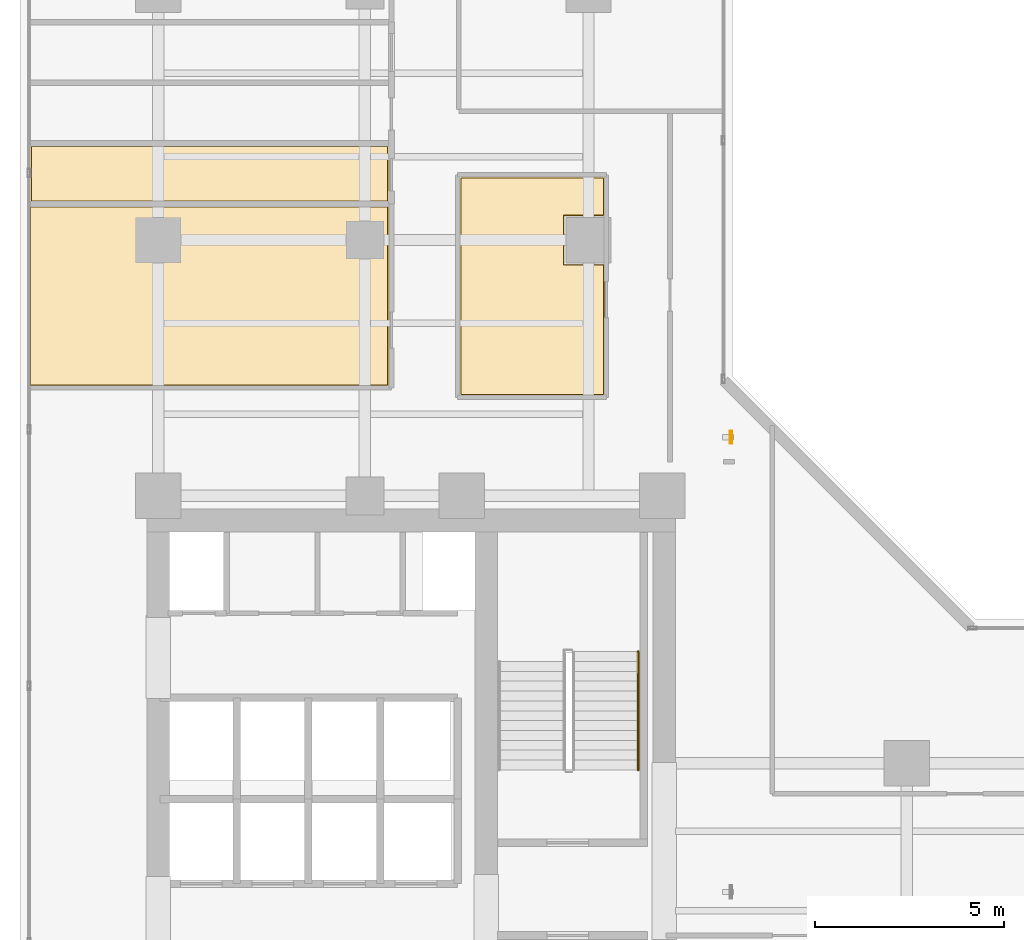
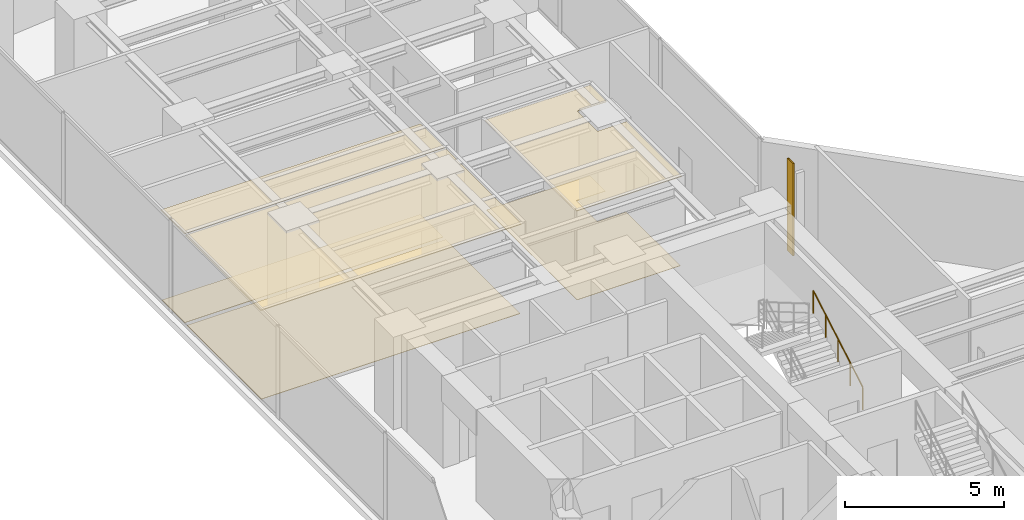
# One storey, part 25 of 27: 6 coverings, 1 railing, 1 shading device.
"""IFC4 building model written with IfcOpenShell, lengths in metres."""

from ifc_helpers import new_model, si_unit, direction, frame, origin, origin_2d, place, context, subcontext, project, spatial, polyline, hollow_rectangle, circle, outline, extrude, material, layer, layer_set, material_profile, profile_set, type_object, element, save


model = new_model("IFC4")

# Units and contexts
model_context = context("Model", 3, precision=1e-05, world=origin(), true_north=direction((0.0, 1.0)))
body_context = subcontext(model_context, "Body", "Model", "MODEL_VIEW")
ifc_project = project(units=[si_unit("LENGTHUNIT", "METRE"), si_unit("AREAUNIT", "SQUARE_METRE"), si_unit("VOLUMEUNIT", "CUBIC_METRE"), si_unit("PLANEANGLEUNIT", "RADIAN"), si_unit("MASSUNIT", "GRAM", prefix="KILO")], contexts=[model_context])

# Site, building, storey
site_placement = place(None, origin())
site = spatial("IfcSite", under=ifc_project, at=site_placement, CompositionType="ELEMENT")
building_placement = place(site_placement, origin())
building = spatial("IfcBuilding", under=site, at=building_placement, Name="Kolvaren Waterfront Exchange", CompositionType="ELEMENT")
storey_placement = place(building_placement, frame((0.0, 0.0, 191.800048828125)))
storey = spatial("IfcBuildingStorey", under=building, at=storey_placement, Name="L49", CompositionType="ELEMENT", Elevation=191.800048828125)

# Coverings
ifc_material_1 = material(Name="Mineral fibre acoustic ceiling tile")
ifc_layer_1 = layer(ifc_material_1, 0.02490234375, Name="Mineral fibre acoustic ceiling tile")
ifc_layer_set_1 = layer_set([ifc_layer_1], Name="Mineral fibre acoustic ceiling tile")
covering_type_1 = type_object("IfcCoveringType", Name="ARC-CEIL-ACOUSTIC-25", PredefinedType="CEILING", material=ifc_layer_set_1)
covering_1_placement = place(storey_placement, frame((0.0, 0.0, 3.445068359375)))
element("IfcCovering", 1, at=covering_1_placement, inside=storey, type_object=covering_type_1, Name="L49 acoustic suspended ceiling 1", PredefinedType="CEILING", context=body_context, shape_type="SweptSolid", body=[
    extrude(outline(polyline([(19.22509765625, 30.56005859375), (18.159912109375, 30.56005859375), (18.159912109375, 31.840087890625), (19.22509765625, 31.840087890625), (19.22509765625, 32.875), (15.39501953125, 32.875), (15.39501953125, 27.094970703125), (19.22509765625, 27.094970703125), (19.22509765625, 30.56005859375)])), origin(), (0.0, 0.0, 1.0), 0.02490234375),
])
covering_2_placement = place(storey_placement, frame((0.0, 0.0, 3.445068359375)))
element("IfcCovering", 2, at=covering_2_placement, inside=storey, type_object=covering_type_1, Name="L49 acoustic suspended ceiling 2", PredefinedType="CEILING", context=body_context, shape_type="SweptSolid", body=[
    extrude(outline(polyline([(13.534912109375, 27.344970703125), (13.534912109375, 32.10498046875), (4.044921875, 32.10498046875), (4.044921875, 27.344970703125), (13.534912109375, 27.344970703125)])), origin(), (0.0, 0.0, 1.0), 0.02490234375),
])
covering_3_placement = place(storey_placement, frame((0.0, 0.0, 3.445068359375)))
element("IfcCovering", 3, at=covering_3_placement, inside=storey, type_object=covering_type_1, Name="L49 acoustic suspended ceiling 3", PredefinedType="CEILING", context=body_context, shape_type="SweptSolid", body=[
    extrude(outline(polyline([(13.534912109375, 32.195068359375), (13.534912109375, 33.705078125), (4.06494140625, 33.705078125), (4.06494140625, 32.195068359375), (13.534912109375, 32.195068359375)])), origin(), (0.0, 0.0, 1.0), 0.02490234375),
])

# Shading device
ifc_material_2 = material(Name="Anodised bronze aluminium 6063-T6", Category="aluminium")
ifc_material_profile = material_profile(ifc_material_2, hollow_rectangle(XDim=0.06005859375, YDim=0.35009765625, WallThickness=0.0048828125, at=origin_2d()), Name="BRZ-FIN-350x60x5")
ifc_profile_set = profile_set([ifc_material_profile], Name="Anodised bronze aluminium 6063-T6")
shading_device_type = type_object("IfcShadingDeviceType", Name="ARC-FIN-350", PredefinedType="USERDEFINED", material=ifc_profile_set)
shading_device_placement = place(storey_placement, frame((22.56005859375, 26.0, 0.0), z_axis=(0.0, 0.0, 1.0), x_axis=(1.0, 0.0, 0.0)))
element("IfcShadingDevice", 4, at=shading_device_placement, inside=storey, type_object=shading_device_type, Name="L49 anodised bronze solar shading fin FIN-L49-E2", ObjectType="SOLAR FIN", PredefinedType="USERDEFINED", context=body_context, shape_type="SweptSolid", body=[
    extrude(hollow_rectangle(XDim=0.06005859375, YDim=0.35009765625, WallThickness=0.0048828125, at=origin_2d()), origin(), (0.0, 0.0, 1.0), 3.56005859375),
])

# Coverings
ifc_material_3 = material(Name="Slip-resistant porcelain tile")
ifc_layer_2 = layer(ifc_material_3, 0.014892578125, Name="Slip-resistant porcelain tile")
ifc_layer_set_2 = layer_set([ifc_layer_2], Name="Slip-resistant porcelain tile")
covering_type_2 = type_object("IfcCoveringType", Name="ARC-FLR-PORC-15", PredefinedType="FLOORING", material=ifc_layer_set_2)
covering_4_placement = place(storey_placement, origin())
element("IfcCovering", 5, at=covering_4_placement, inside=storey, type_object=covering_type_2, Name="L49 floor finish 1", PredefinedType="FLOORING", context=body_context, shape_type="SweptSolid", body=[
    extrude(outline(polyline([(15.429931640625, 32.840087890625), (15.429931640625, 27.1298828125), (19.18994140625, 27.1298828125), (19.18994140625, 30.5400390625), (18.139892578125, 30.5400390625), (18.139892578125, 31.860107421875), (19.18994140625, 31.860107421875), (19.18994140625, 32.840087890625), (15.429931640625, 32.840087890625)])), origin(), (0.0, 0.0, 1.0), 0.014892578125),
])
covering_5_placement = place(storey_placement, origin())
element("IfcCovering", 6, at=covering_5_placement, inside=storey, type_object=covering_type_2, Name="L49 floor finish 2", PredefinedType="FLOORING", context=body_context, shape_type="SweptSolid", body=[
    extrude(outline(polyline([(4.080078125, 32.070068359375), (4.080078125, 27.3798828125), (13.5, 27.3798828125), (13.5, 32.070068359375), (4.080078125, 32.070068359375)])), origin(), (0.0, 0.0, 1.0), 0.014892578125),
])
covering_6_placement = place(storey_placement, origin())
element("IfcCovering", 7, at=covering_6_placement, inside=storey, type_object=covering_type_2, Name="L49 floor finish 3", PredefinedType="FLOORING", context=body_context, shape_type="SweptSolid", body=[
    extrude(outline(polyline([(4.10009765625, 33.669921875), (4.10009765625, 32.22998046875), (13.5, 32.22998046875), (13.5, 33.669921875), (4.10009765625, 33.669921875)])), origin(), (0.0, 0.0, 1.0), 0.014892578125),
])

# Railing
ifc_material_4 = material(Name="Stainless steel 316", Category="steel")
railing_type = type_object("IfcRailingType", Name="ARC-HANDRAIL-900", PredefinedType="HANDRAIL", material=ifc_material_4)
railing_placement = place(storey_placement, frame((20.110107421875, 17.219970703125, 0.15185546875)))
element("IfcRailing", 8, at=railing_placement, inside=storey, type_object=railing_type, Name="L49 ST2 stair handrail 1", PredefinedType="HANDRAIL", context=body_context, shape_type="SweptSolid", body=[
    extrude(circle(Radius=0.02392578125, at=origin_2d()), frame((0.0, 0.0, 0.8759765625), z_axis=(0.0, 0.86330811405, 0.504677223793), x_axis=(-1.0, 0.0, 0.0)), (0.0, 0.0, 1.0), 3.6142578125),
    extrude(circle(Radius=0.02099609375, at=origin_2d()), origin(), (0.0, 0.0, 1.0), 0.851806640625),
    extrude(circle(Radius=0.02099609375, at=origin_2d()), frame((0.0, 0.780029296875, 0.4560546875)), (0.0, 0.0, 1.0), 0.851806640625),
    extrude(circle(Radius=0.02099609375, at=origin_2d()), frame((0.0, 1.56005859375, 0.912109375)), (0.0, 0.0, 1.0), 0.851806640625),
    extrude(circle(Radius=0.02099609375, at=origin_2d()), frame((0.0, 2.340087890625, 1.367919921875)), (0.0, 0.0, 1.0), 0.851806640625),
    extrude(circle(Radius=0.02099609375, at=origin_2d()), frame((0.0, 3.1201171875, 1.823974609375)), (0.0, 0.0, 1.0), 0.851806640625),
])

save(model, "model.ifc")
